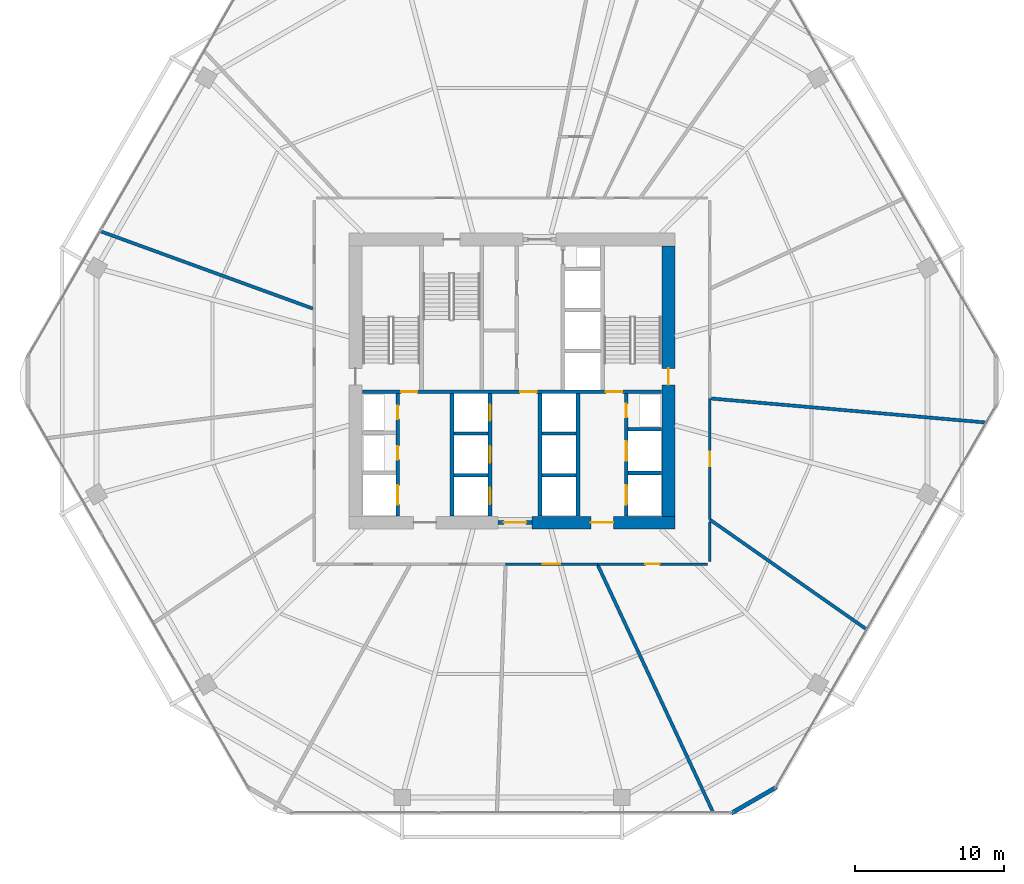
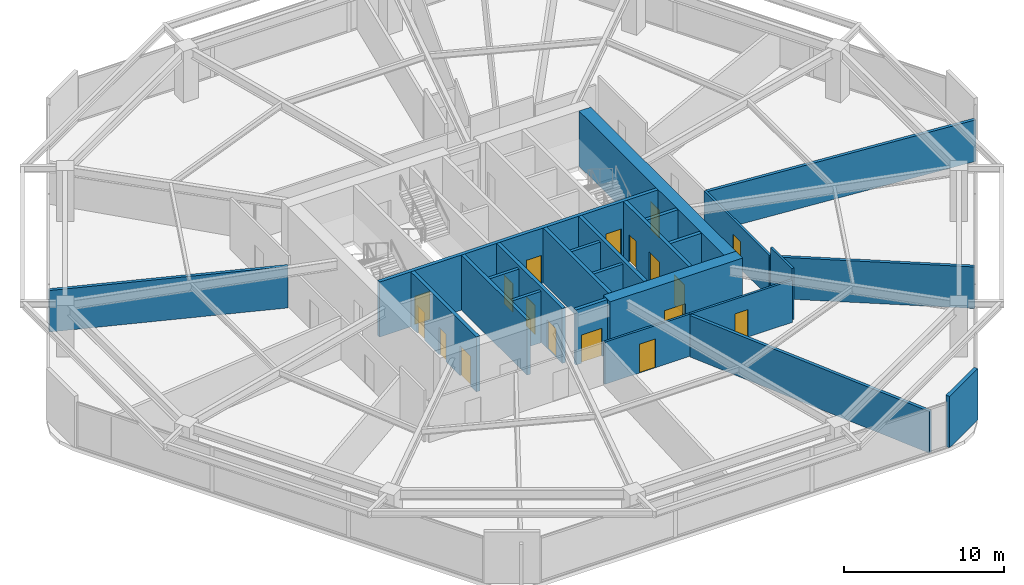
# One storey, part 25 of 28: 25 walls, 18 doors, 18 openings.
"""IFC4 building model written with IfcOpenShell, lengths in metres."""

import ifcopenshell
import ifcopenshell.guid

model = None  # the IFC model being written
_history = None  # IfcOwnerHistory: only IFC2X3 demands one
_inside = {}  # id of a spatial element -> (the spatial element, [elements in it])
_under = {}  # id of a project, library or spatial element -> (it, [spatial elements below it])
_declared = {}  # id of a project -> (the project, [libraries it declares])
_typed = {}  # id of a type object -> (the type object, [elements of that type])
_made_of = {}  # id of a material, layer set ... -> (it, [elements and type objects made of it])


def new_model(schema):
    """Start an empty IFC model of exactly this schema.

    Asked for "IFC4X3", IfcOpenShell would pick the latest addendum, in which some entities
    have other attributes; the version numbers below select the first issue.
    IFC2X3 requires an IfcOwnerHistory on every rooted entity: one is made here for all.
    """
    global model, _history
    if schema == "IFC4X3":
        model = ifcopenshell.file(schema_version=(4, 3, 0, 0))
    else:
        model = ifcopenshell.file(schema=schema)
    _inside.clear()
    _under.clear()
    _declared.clear()
    _typed.clear()
    _made_of.clear()
    _history = None
    if model.schema == "IFC2X3":
        org = make("IfcOrganization", Name="unknown")
        user = make(
            "IfcPersonAndOrganization",
            ThePerson=make("IfcPerson", FamilyName="unknown"),
            TheOrganization=org,
        )
        app = make(
            "IfcApplication",
            ApplicationDeveloper=org,
            Version="unknown",
            ApplicationFullName="unknown",
            ApplicationIdentifier="unknown",
        )
        _history = make(
            "IfcOwnerHistory",
            OwningUser=user,
            OwningApplication=app,
            ChangeAction="ADDED",
            CreationDate=0,
        )
    return model


def make(cls, **values):
    """One entity of the class cls with the attributes given. An attribute that is None is left unset."""
    return model.create_entity(
        cls, **{name: value for name, value in values.items() if value is not None}
    )


def rooted(cls, **values):
    """An entity with a GlobalId (a new one), such as an element, a storey or a relation."""
    return make(cls, GlobalId=ifcopenshell.guid.new(), OwnerHistory=_history, **values)


def si_unit(unit_type, name, prefix=None):
    """IfcSIUnit, for example si_unit("LENGTHUNIT", "METRE", prefix="MILLI")."""
    return make("IfcSIUnit", UnitType=unit_type, Prefix=prefix, Name=name)


def assignment(units):
    """IfcUnitAssignment: the units of a project."""
    return None if units is None else make("IfcUnitAssignment", Units=units)


def point(xyz):
    """IfcCartesianPoint."""
    return None if xyz is None else make("IfcCartesianPoint", Coordinates=xyz)


def direction(xyz):
    """IfcDirection."""
    return None if xyz is None else make("IfcDirection", DirectionRatios=xyz)


def frame(location, z_axis=None, x_axis=None):
    """IfcAxis2Placement3D, a coordinate frame: its origin and axes. An axis left out is left unset."""
    return make(
        "IfcAxis2Placement3D",
        Location=point(location),
        Axis=direction(z_axis),
        RefDirection=direction(x_axis),
    )


def frame_2d(location, x_axis=None):
    """IfcAxis2Placement2D, a coordinate frame in the plane: its origin and x axis."""
    return make(
        "IfcAxis2Placement2D", Location=point(location), RefDirection=direction(x_axis)
    )


def origin():
    """The frame at (0, 0, 0) with its axes left unset."""
    return frame((0.0, 0.0, 0.0))


def place(relative_to, where):
    """IfcLocalPlacement: puts the frame where relative to a parent placement (None: the world)."""
    return make(
        "IfcLocalPlacement", PlacementRelTo=relative_to, RelativePlacement=where
    )


def context(
    kind, dimensions, precision=None, world=None, true_north=None, identifier=None
):
    """IfcGeometricRepresentationContext, for example the 3D "Model" context."""
    return make(
        "IfcGeometricRepresentationContext",
        ContextIdentifier=identifier,
        ContextType=kind,
        CoordinateSpaceDimension=dimensions,
        Precision=precision,
        WorldCoordinateSystem=world,
        TrueNorth=true_north,
    )


def subcontext(parent, identifier, kind, view, scale=None):
    """IfcGeometricRepresentationSubContext, for example "Body" below "Model"."""
    return make(
        "IfcGeometricRepresentationSubContext",
        ContextIdentifier=identifier,
        ContextType=kind,
        ParentContext=parent,
        TargetScale=scale,
        TargetView=view,
    )


def project(units=None, contexts=None):
    """IfcProject with its units and contexts."""
    return rooted(
        "IfcProject",
        Name="project",
        RepresentationContexts=contexts,
        UnitsInContext=assignment(units),
    )


def spatial(cls, under=None, at=None, **own):
    """A site, building, storey or space (cls), placed at a placement, below another one or the project."""
    s = rooted(cls, ObjectPlacement=at, **own)
    if under is not None:
        _under.setdefault(under.id(), (under, []))[1].append(s)
    return s


def profile(cls, at=None, kind="AREA", **sizes):
    """A parametric profile (cls). Its sizes go by their IFC names, for example OverallWidth=200.0."""
    return make(cls, ProfileType=kind, Position=at, **sizes)


def rectangle(**sizes):
    """IfcRectangleProfileDef."""
    return profile("IfcRectangleProfileDef", **sizes)


def extrude(swept, where, along, depth):
    """IfcExtrudedAreaSolid: the profile swept, set in the frame where, extruded along a direction by depth."""
    return make(
        "IfcExtrudedAreaSolid",
        SweptArea=swept,
        Position=where,
        ExtrudedDirection=direction(along),
        Depth=depth,
    )


def shape(context_of_items, identifier, shape_type, items):
    """IfcShapeRepresentation: the items that make up one representation, for example the "Body"."""
    return make(
        "IfcShapeRepresentation",
        ContextOfItems=context_of_items,
        RepresentationIdentifier=identifier,
        RepresentationType=shape_type,
        Items=items,
    )


def material(Name=None, Category=None):
    """IfcMaterial."""
    return make("IfcMaterial", Name=Name, Category=Category)


def layer(
    of_material, thickness, ventilated=None, Name=None, Category=None, Priority=None
):
    """IfcMaterialLayer: one layer of a wall or slab, of a material (None: an air gap)."""
    return make(
        "IfcMaterialLayer",
        Material=of_material,
        LayerThickness=thickness,
        IsVentilated=ventilated,
        Name=Name,
        Category=Category,
        Priority=Priority,
    )


def layer_set(layers, Name=None):
    """IfcMaterialLayerSet."""
    return make("IfcMaterialLayerSet", MaterialLayers=layers, LayerSetName=Name)


def made_of(thing, what):
    """Note that an element or type object is made of a material, layer set ...; save() writes the relation."""
    if what is not None:
        _made_of.setdefault(what.id(), (what, []))[1].append(thing)
    return thing


def type_object(cls, material=None, **own):
    """A type object (cls), such as IfcWallType, which elements share."""
    return made_of(rooted(cls, **own), material)


def element(
    cls,
    number,
    at=None,
    inside=None,
    cuts=None,
    type_object=None,
    material=None,
    context=None,
    identifier="Body",
    shape_type=None,
    held_by="IfcProductDefinitionShape",
    body=None,
    shapes=None,
    **own,
):
    """One element of the class cls, such as IfcWall. Its Tag is "e" and its number.

    at: its placement. inside: the storey or other place that contains it. cuts: it is an
    opening in that element (IfcRelVoidsElement). A single representation is given by context,
    identifier, shape_type and body (its items); several are given by shapes. held_by: the class
    of the entity that holds the representations. save() writes the other relations.
    """
    e = rooted(cls, Tag="e%d" % number, ObjectPlacement=at, **own)
    if body is not None:
        shapes = [shape(context, identifier, shape_type, body)]
    if shapes is not None:
        e.Representation = make(held_by, Representations=shapes)
    if inside is not None:
        _inside.setdefault(inside.id(), (inside, []))[1].append(e)
    if cuts is not None:
        rooted(
            "IfcRelVoidsElement", RelatingBuildingElement=cuts, RelatedOpeningElement=e
        )
    if type_object is not None:
        _typed.setdefault(type_object.id(), (type_object, []))[1].append(e)
    return made_of(e, material)


def fill(opening, filler):
    """IfcRelFillsElement: the door or window that sits in an opening."""
    return rooted(
        "IfcRelFillsElement",
        RelatingOpeningElement=opening,
        RelatedBuildingElement=filler,
    )


def aggregate(whole, parts):
    """IfcRelAggregates: a whole, such as a stair, and the parts it consists of."""
    return rooted("IfcRelAggregates", RelatingObject=whole, RelatedObjects=parts)


def save(model, path):
    """Write the relations noted so far, then the file.

    IfcRelAggregates (storeys below a building ...), IfcRelContainedInSpatialStructure (elements
    in a storey), IfcRelDefinesByType, IfcRelAssociatesMaterial and IfcRelDeclares: one each for
    every whole, place, type object, material and project.
    """
    for whole, parts in _under.values():
        aggregate(whole, parts)
    for where, things in _inside.values():
        rooted(
            "IfcRelContainedInSpatialStructure",
            RelatedElements=things,
            RelatingStructure=where,
        )
    for kind, things in _typed.values():
        rooted("IfcRelDefinesByType", RelatedObjects=things, RelatingType=kind)
    for what, things in _made_of.values():
        rooted("IfcRelAssociatesMaterial", RelatedObjects=things, RelatingMaterial=what)
    for by, libraries in _declared.values():
        rooted("IfcRelDeclares", RelatingContext=by, RelatedDefinitions=libraries)
    model.write(path)


model = new_model("IFC4")

# Units and contexts
model_context = context("Model", 3, precision=1e-05, world=origin(), true_north=direction((0.0, 1.0)))
body_context = subcontext(model_context, "Body", "Model", "MODEL_VIEW")
ifc_project = project(units=[si_unit("LENGTHUNIT", "METRE"), si_unit("AREAUNIT", "SQUARE_METRE"), si_unit("VOLUMEUNIT", "CUBIC_METRE"), si_unit("PLANEANGLEUNIT", "RADIAN"), si_unit("MASSUNIT", "GRAM", prefix="KILO")], contexts=[model_context])

# Site, building, storey
site_placement = place(None, origin())
site = spatial("IfcSite", under=ifc_project, at=site_placement, CompositionType="ELEMENT")
building_placement = place(site_placement, origin())
building = spatial("IfcBuilding", under=site, at=building_placement, Name="Zuhravey Tower", CompositionType="ELEMENT")
storey_placement = place(building_placement, frame((0.0, 0.0, 79.199951171875)))
storey = spatial("IfcBuildingStorey", under=building, at=storey_placement, Name="L19", CompositionType="ELEMENT", Elevation=79.199951171875)

# Wall, opening, door
ifc_material_1 = material(Name="Concrete C60/75", Category="concrete")
ifc_layer_1 = layer(ifc_material_1, 0.85009765625)
ifc_layer_set_1 = layer_set([ifc_layer_1], Name="Concrete C60/75")
wall_type_1 = type_object("IfcWallType", Name="Core Shear Wall 850", PredefinedType="SHEAR", material=ifc_layer_set_1)
wall_1_placement = place(storey_placement, frame((37.35009765625, 22.5, 0.0), z_axis=(0.0, 0.0, 1.0), x_axis=(1.0, 0.0, 0.0)))
wall_1 = element("IfcWall", 1, at=wall_1_placement, inside=storey, type_object=wall_type_1, Name="L19 South-East Core Shear Wall CW85", PredefinedType="SHEAR", context=body_context, shape_type="SweptSolid", body=[
    extrude(rectangle(XDim=9.574951171875, YDim=0.85009765625, at=frame_2d((4.78759765625, 0.0))), origin(), (0.0, 0.0, 1.0), 4.199951171875),
])
opening_1_placement = place(wall_1_placement, frame((3.949951171875, 0.0, 0.0)))
opening_1 = element("IfcOpeningElement", 2, at=opening_1_placement, cuts=wall_1, Name="Opening FFD1", PredefinedType="OPENING", context=body_context, shape_type="SweptSolid", body=[
    extrude(rectangle(XDim=1.5, YDim=2.14990234375, at=frame_2d((0.75, 1.074951171875))), frame((0.0, 0.43701171875, 0.0), z_axis=(0.0, -1.0, 0.0), x_axis=(1.0, 0.0, 0.0)), (0.0, 0.0, 1.0), 0.8740234375),
])
ifc_material_2 = material(Name="Galvanised fire-rated steel leaf", Category="steel")
door_type_1 = type_object("IfcDoorType", Name="Firefighting Lobby Double Door 1500x2150", OperationType="DOUBLE_DOOR_SINGLE_SWING", PredefinedType="DOOR", material=ifc_material_2)
door_1_placement = place(opening_1_placement, origin())
door_1 = element("IfcDoor", 3, at=door_1_placement, inside=storey, type_object=door_type_1, Name="L19 Firefighting Lobby East Door", OperationType="DOUBLE_DOOR_SINGLE_SWING", OverallHeight=2.14990234375, OverallWidth=1.5, PredefinedType="DOOR", context=body_context, shape_type="SweptSolid", body=[
    extrude(rectangle(XDim=1.5, YDim=2.14990234375, at=frame_2d((0.75, 1.074951171875))), frame((0.0, 0.02490234375, 0.0), z_axis=(0.0, -1.0, 0.0), x_axis=(1.0, 0.0, 0.0)), (0.0, 0.0, 1.0), 0.050048828125),
])
fill(opening_1, door_1)

wall_2_placement = place(storey_placement, frame((46.5, 22.925048828125, 0.0), z_axis=(0.0, 0.0, 1.0), x_axis=(0.0, 1.0, 0.0)))
wall_2 = element("IfcWall", 4, at=wall_2_placement, inside=storey, type_object=wall_type_1, Name="L19 East Core Shear Wall CW85", PredefinedType="SHEAR", context=body_context, shape_type="SweptSolid", body=[
    extrude(rectangle(XDim=18.14990234375, YDim=0.85009765625, at=frame_2d((9.074951171875, 0.0))), origin(), (0.0, 0.0, 1.0), 4.199951171875),
])
opening_2_placement = place(wall_2_placement, frame((8.824951171875, 0.0, 0.0)))
opening_2 = element("IfcOpeningElement", 5, at=opening_2_placement, cuts=wall_2, Name="Opening STD1", PredefinedType="OPENING", context=body_context, shape_type="SweptSolid", body=[
    extrude(rectangle(XDim=1.10009765625, YDim=2.14990234375, at=frame_2d((0.550048828125, 1.074951171875))), frame((0.0, 0.43701171875, 0.0), z_axis=(0.0, -1.0, 0.0), x_axis=(1.0, 0.0, 0.0)), (0.0, 0.0, 1.0), 0.8740234375),
])
door_type_2 = type_object("IfcDoorType", Name="Protected Stair Fire Door 1100x2150", OperationType="NOTDEFINED", PredefinedType="USERDEFINED", material=ifc_material_2)
door_2_placement = place(opening_2_placement, origin())
door_2 = element("IfcDoor", 6, at=door_2_placement, inside=storey, type_object=door_type_2, Name="L19 Stair ST2 Door", ObjectType="EXITDOOR", OperationType="SINGLE_SWING_RIGHT", OverallHeight=2.14990234375, OverallWidth=1.10009765625, PredefinedType="USERDEFINED", context=body_context, shape_type="SweptSolid", body=[
    extrude(rectangle(XDim=1.10009765625, YDim=2.14990234375, at=frame_2d((0.550048828125, 1.074951171875))), frame((0.0, 0.02490234375, 0.0), z_axis=(0.0, -1.0, 0.0), x_axis=(1.0, 0.0, 0.0)), (0.0, 0.0, 1.0), 0.050048828125),
])
fill(opening_2, door_2)

ifc_material_3 = material(Name="Gypsum fire-rated stud partition")
ifc_layer_2 = layer(ifc_material_3, 0.159912109375)
ifc_layer_set_2 = layer_set([ifc_layer_2], Name="Gypsum fire-rated stud partition")
wall_type_2 = type_object("IfcWallType", Name="Corridor Fire Partition 160", PredefinedType="PARTITIONING", material=ifc_layer_set_2)
wall_3_placement = place(storey_placement, frame((35.571044921875, 19.715087890625, 0.0), z_axis=(0.0, 0.0, 1.0), x_axis=(1.0, 0.0, 0.0)))
wall_3 = element("IfcWall", 7, at=wall_3_placement, inside=storey, type_object=wall_type_2, Name="L19 IW16 Partition 029", PredefinedType="PARTITIONING", context=body_context, shape_type="SweptSolid", body=[
    extrude(rectangle(XDim=6.157470703125, YDim=0.159912109375, at=frame_2d((3.07861328125, 0.0))), origin(), (0.0, 0.0, 1.0), 3.219970703125),
])
opening_3_placement = place(wall_3_placement, frame((2.50390625, 0.0, 0.0)))
opening_3 = element("IfcOpeningElement", 8, at=opening_3_placement, cuts=wall_3, Name="Opening CLD1", PredefinedType="OPENING", context=body_context, shape_type="SweptSolid", body=[
    extrude(rectangle(XDim=1.14990234375, YDim=2.199951171875, at=frame_2d((0.574951171875, 1.10009765625))), frame((0.0, 0.092041015625, 0.0), z_axis=(0.0, -1.0, 0.0), x_axis=(1.0, 0.0, 0.0)), (0.0, 0.0, 1.0), 0.183837890625),
])
ifc_material_4 = material(Name="Acoustic timber leaf with vision lite", Category="wood")
door_type_3 = type_object("IfcDoorType", Name="Classroom Acoustic Door 1150x2200", OperationType="NOTDEFINED", PredefinedType="DOOR", material=ifc_material_4)
door_3_placement = place(opening_3_placement, frame((1.14990234375, 0.0, 0.0), z_axis=(0.0, 0.0, 1.0), x_axis=(-1.0, 0.0, 0.0)))
door_3 = element("IfcDoor", 9, at=door_3_placement, inside=storey, type_object=door_type_3, Name="L19 Door 029.1", OperationType="SINGLE_SWING_LEFT", OverallHeight=2.199951171875, OverallWidth=1.14990234375, PredefinedType="DOOR", context=body_context, shape_type="SweptSolid", body=[
    extrude(rectangle(XDim=1.14990234375, YDim=2.199951171875, at=frame_2d((0.574951171875, 1.10009765625))), frame((0.0, 0.02490234375, 0.0), z_axis=(0.0, -1.0, 0.0), x_axis=(1.0, 0.0, 0.0)), (0.0, 0.0, 1.0), 0.050048828125),
])
fill(opening_3, door_3)

wall_4_placement = place(storey_placement, frame((41.728515625, 19.715087890625, 0.0), z_axis=(0.0, 0.0, 1.0), x_axis=(1.0, 0.0, 0.0)))
wall_4 = element("IfcWall", 10, at=wall_4_placement, inside=storey, type_object=wall_type_2, Name="L19 IW16 Partition 030", PredefinedType="PARTITIONING", context=body_context, shape_type="SweptSolid", body=[
    extrude(rectangle(XDim=7.396484375, YDim=0.159912109375, at=frame_2d((3.6982421875, 0.0))), origin(), (0.0, 0.0, 1.0), 3.219970703125),
])
opening_4_placement = place(wall_4_placement, frame((3.22314453125, 0.0, 0.0)))
opening_4 = element("IfcOpeningElement", 11, at=opening_4_placement, cuts=wall_4, Name="Opening IND1", PredefinedType="OPENING", context=body_context, shape_type="SweptSolid", body=[
    extrude(rectangle(XDim=0.949951171875, YDim=2.10009765625, at=frame_2d((0.47509765625, 1.050048828125))), frame((0.0, 0.092041015625, 0.0), z_axis=(0.0, -1.0, 0.0), x_axis=(1.0, 0.0, 0.0)), (0.0, 0.0, 1.0), 0.183837890625),
])
ifc_material_5 = material(Name="Painted engineered timber leaf", Category="wood")
door_type_4 = type_object("IfcDoorType", Name="Internal Room & Bedroom Door 950x2100", OperationType="NOTDEFINED", PredefinedType="DOOR", material=ifc_material_5)
door_4_placement = place(opening_4_placement, frame((0.949951171875, 0.0, 0.0), z_axis=(0.0, 0.0, 1.0), x_axis=(-1.0, 0.0, 0.0)))
door_4 = element("IfcDoor", 12, at=door_4_placement, inside=storey, type_object=door_type_4, Name="L19 Door 030.1", OperationType="SINGLE_SWING_RIGHT", OverallHeight=2.10009765625, OverallWidth=0.949951171875, PredefinedType="DOOR", context=body_context, shape_type="SweptSolid", body=[
    extrude(rectangle(XDim=0.949951171875, YDim=2.10009765625, at=frame_2d((0.47509765625, 1.050048828125))), frame((0.0, 0.02490234375, 0.0), z_axis=(0.0, -1.0, 0.0), x_axis=(1.0, 0.0, 0.0)), (0.0, 0.0, 1.0), 0.050048828125),
])
fill(opening_4, door_4)

wall_5_placement = place(storey_placement, frame((49.284912109375, 22.69775390625, 0.0), z_axis=(0.0, 0.0, 1.0), x_axis=(0.0, 1.0, 0.0)))
wall_5 = element("IfcWall", 13, at=wall_5_placement, inside=storey, type_object=wall_type_2, Name="L19 IW16 Partition 031", PredefinedType="PARTITIONING", context=body_context, shape_type="SweptSolid", body=[
    extrude(rectangle(XDim=8.139892578125, YDim=0.159912109375, at=frame_2d((4.06982421875, 0.0))), origin(), (0.0, 0.0, 1.0), 3.219970703125),
])
opening_5_placement = place(wall_5_placement, frame((3.594970703125, 0.0, 0.0)))
opening_5 = element("IfcOpeningElement", 14, at=opening_5_placement, cuts=wall_5, Name="Opening IND1", PredefinedType="OPENING", context=body_context, shape_type="SweptSolid", body=[
    extrude(rectangle(XDim=0.949951171875, YDim=2.10009765625, at=frame_2d((0.47509765625, 1.050048828125))), frame((0.0, 0.092041015625, 0.0), z_axis=(0.0, -1.0, 0.0), x_axis=(1.0, 0.0, 0.0)), (0.0, 0.0, 1.0), 0.183837890625),
])
door_5_placement = place(opening_5_placement, frame((0.949951171875, 0.0, 0.0), z_axis=(0.0, 0.0, 1.0), x_axis=(-1.0, 0.0, 0.0)))
door_5 = element("IfcDoor", 15, at=door_5_placement, inside=storey, type_object=door_type_4, Name="L19 Door 031.1", OperationType="SINGLE_SWING_LEFT", OverallHeight=2.10009765625, OverallWidth=0.949951171875, PredefinedType="DOOR", context=body_context, shape_type="SweptSolid", body=[
    extrude(rectangle(XDim=0.949951171875, YDim=2.10009765625, at=frame_2d((0.47509765625, 1.050048828125))), frame((0.0, 0.02490234375, 0.0), z_axis=(0.0, -1.0, 0.0), x_axis=(1.0, 0.0, 0.0)), (0.0, 0.0, 1.0), 0.050048828125),
])
fill(opening_5, door_5)

# Walls
wall_6_placement = place(storey_placement, frame((49.284912109375, 19.875, 0.0), z_axis=(0.0, 0.0, 1.0), x_axis=(0.0, 1.0, 0.0)))
element("IfcWall", 16, at=wall_6_placement, inside=storey, type_object=wall_type_2, Name="L19 IW16 Partition 058", PredefinedType="PARTITIONING", context=body_context, shape_type="SweptSolid", body=[
    extrude(rectangle(XDim=2.6787109375, YDim=0.159912109375, at=frame_2d((1.33935546875, 0.0))), origin(), (0.0, 0.0, 1.0), 3.920166015625),
])
ifc_material_6 = material(Name="Precast concrete C40/50", Category="concrete")
ifc_layer_3 = layer(ifc_material_6, 0.280029296875)
ifc_layer_set_3 = layer_set([ifc_layer_3], Name="Precast concrete C40/50")
wall_type_3 = type_object("IfcWallType", Name="Crown Architectural Wall 280", PredefinedType="SOLIDWALL", material=ifc_layer_set_3)
wall_7_placement = place(storey_placement, frame((53.76123046875, 4.75146484375, 0.0), z_axis=(0.0, 0.0, 1.0), x_axis=(-0.866007452331, -0.500031091541, 0.0)))
element("IfcWall", 17, at=wall_7_placement, inside=storey, type_object=wall_type_3, Name="L19 Rounded Corner Closure Wall EW28-02", PredefinedType="SOLIDWALL", context=body_context, shape_type="SweptSolid", body=[
    extrude(rectangle(XDim=3.514892578125, YDim=0.280029296875, at=frame_2d((1.75732421875, 0.0))), origin(), (0.0, 0.0, 1.0), 3.920166015625),
])

# Wall, opening, door
ifc_material_7 = material(Name="Concrete C50/60", Category="concrete")
ifc_layer_4 = layer(ifc_material_7, 0.25)
ifc_layer_set_4 = layer_set([ifc_layer_4], Name="Concrete C50/60")
wall_type_4 = type_object("IfcWallType", Name="Firefighting Shaft & Stair Wall 250", PredefinedType="SOLIDWALL", material=ifc_layer_set_4)
wall_8_placement = place(storey_placement, frame((35.06005859375, 22.5, 0.0), z_axis=(0.0, 0.0, 1.0), x_axis=(1.0, 0.0, 0.0)))
wall_8 = element("IfcWall", 18, at=wall_8_placement, inside=storey, type_object=wall_type_4, Name="L19 FW25 Shaft Wall 001", PredefinedType="SOLIDWALL", context=body_context, shape_type="SweptSolid", body=[
    extrude(rectangle(XDim=2.280029296875, YDim=0.25, at=frame_2d((1.14013671875, 0.0))), origin(), (0.0, 0.0, 1.0), 4.199951171875),
])
opening_6_placement = place(wall_8_placement, frame((0.389892578125, 0.0, 0.0)))
opening_6 = element("IfcOpeningElement", 19, at=opening_6_placement, cuts=wall_8, Name="Opening FFD1", PredefinedType="OPENING", context=body_context, shape_type="SweptSolid", body=[
    extrude(rectangle(XDim=1.5, YDim=2.14990234375, at=frame_2d((0.75, 1.074951171875))), frame((0.0, 0.136962890625, 0.0), z_axis=(0.0, -1.0, 0.0), x_axis=(1.0, 0.0, 0.0)), (0.0, 0.0, 1.0), 0.27392578125),
])
door_6_placement = place(opening_6_placement, frame((1.5, 0.0, 0.0), z_axis=(0.0, 0.0, 1.0), x_axis=(-1.0, 0.0, 0.0)))
door_6 = element("IfcDoor", 20, at=door_6_placement, inside=storey, type_object=door_type_1, Name="L19 South Lift Lobby Exit Door", OperationType="DOUBLE_DOOR_SINGLE_SWING", OverallHeight=2.14990234375, OverallWidth=1.5, PredefinedType="DOOR", context=body_context, shape_type="SweptSolid", body=[
    extrude(rectangle(XDim=1.5, YDim=2.14990234375, at=frame_2d((0.75, 1.074951171875))), frame((0.0, 0.02490234375, 0.0), z_axis=(0.0, -1.0, 0.0), x_axis=(1.0, 0.0, 0.0)), (0.0, 0.0, 1.0), 0.050048828125),
])
fill(opening_6, door_6)

# Wall, openings, doors
wall_9_placement = place(storey_placement, frame((25.949951171875, 31.27490234375, 0.0), z_axis=(0.0, 0.0, 1.0), x_axis=(1.0, 0.0, 0.0)))
wall_9 = element("IfcWall", 21, at=wall_9_placement, inside=storey, type_object=wall_type_4, Name="L19 FW25 Shaft Wall 003", PredefinedType="SOLIDWALL", context=body_context, shape_type="SweptSolid", body=[
    extrude(rectangle(XDim=20.10009765625, YDim=0.25, at=frame_2d((10.050048828125, 0.0))), origin(), (0.0, 0.0, 1.0), 4.199951171875),
])
opening_7_placement = place(wall_9_placement, frame((2.60009765625, 0.0, 0.0)))
opening_7 = element("IfcOpeningElement", 22, at=opening_7_placement, cuts=wall_9, Name="Opening STD1", PredefinedType="OPENING", context=body_context, shape_type="SweptSolid", body=[
    extrude(rectangle(XDim=1.10009765625, YDim=2.14990234375, at=frame_2d((0.550048828125, 1.074951171875))), frame((0.0, 0.136962890625, 0.0), z_axis=(0.0, -1.0, 0.0), x_axis=(1.0, 0.0, 0.0)), (0.0, 0.0, 1.0), 0.27392578125),
])
opening_8_placement = place(wall_9_placement, frame((10.60009765625, 0.0, 0.0)))
opening_8 = element("IfcOpeningElement", 23, at=opening_8_placement, cuts=wall_9, Name="Opening STD1", PredefinedType="OPENING", context=body_context, shape_type="SweptSolid", body=[
    extrude(rectangle(XDim=1.10009765625, YDim=2.14990234375, at=frame_2d((0.550048828125, 1.074951171875))), frame((0.0, 0.136962890625, 0.0), z_axis=(0.0, -1.0, 0.0), x_axis=(1.0, 0.0, 0.0)), (0.0, 0.0, 1.0), 0.27392578125),
])
opening_9_placement = place(wall_9_placement, frame((16.35009765625, 0.0, 0.0)))
opening_9 = element("IfcOpeningElement", 24, at=opening_9_placement, cuts=wall_9, Name="Opening STD1", PredefinedType="OPENING", context=body_context, shape_type="SweptSolid", body=[
    extrude(rectangle(XDim=1.10009765625, YDim=2.14990234375, at=frame_2d((0.550048828125, 1.074951171875))), frame((0.0, 0.136962890625, 0.0), z_axis=(0.0, -1.0, 0.0), x_axis=(1.0, 0.0, 0.0)), (0.0, 0.0, 1.0), 0.27392578125),
])
door_7_placement = place(opening_7_placement, origin())
door_7 = element("IfcDoor", 25, at=door_7_placement, inside=storey, type_object=door_type_2, Name="L19 FFL-W to ST1 Door", ObjectType="EXITDOOR", OperationType="SINGLE_SWING_RIGHT", OverallHeight=2.14990234375, OverallWidth=1.10009765625, PredefinedType="USERDEFINED", context=body_context, shape_type="SweptSolid", body=[
    extrude(rectangle(XDim=1.10009765625, YDim=2.14990234375, at=frame_2d((0.550048828125, 1.074951171875))), frame((0.0, 0.02490234375, 0.0), z_axis=(0.0, -1.0, 0.0), x_axis=(1.0, 0.0, 0.0)), (0.0, 0.0, 1.0), 0.050048828125),
])
fill(opening_7, door_7)
door_8_placement = place(opening_8_placement, origin())
door_8 = element("IfcDoor", 26, at=door_8_placement, inside=storey, type_object=door_type_2, Name="L19 Core Lobby Link Door", ObjectType="EXITDOOR", OperationType="SINGLE_SWING_LEFT", OverallHeight=2.14990234375, OverallWidth=1.10009765625, PredefinedType="USERDEFINED", context=body_context, shape_type="SweptSolid", body=[
    extrude(rectangle(XDim=1.10009765625, YDim=2.14990234375, at=frame_2d((0.550048828125, 1.074951171875))), frame((0.0, 0.02490234375, 0.0), z_axis=(0.0, -1.0, 0.0), x_axis=(1.0, 0.0, 0.0)), (0.0, 0.0, 1.0), 0.050048828125),
])
fill(opening_8, door_8)
door_9_placement = place(opening_9_placement, origin())
door_9 = element("IfcDoor", 27, at=door_9_placement, inside=storey, type_object=door_type_2, Name="L19 FFL-E to ST2 Door", ObjectType="EXITDOOR", OperationType="SINGLE_SWING_RIGHT", OverallHeight=2.14990234375, OverallWidth=1.10009765625, PredefinedType="USERDEFINED", context=body_context, shape_type="SweptSolid", body=[
    extrude(rectangle(XDim=1.10009765625, YDim=2.14990234375, at=frame_2d((0.550048828125, 1.074951171875))), frame((0.0, 0.02490234375, 0.0), z_axis=(0.0, -1.0, 0.0), x_axis=(1.0, 0.0, 0.0)), (0.0, 0.0, 1.0), 0.050048828125),
])
fill(opening_9, door_9)

wall_10_placement = place(storey_placement, frame((28.324951171875, 22.949951171875, 0.0), z_axis=(0.0, 0.0, 1.0), x_axis=(0.0, 1.0, 0.0)))
wall_10 = element("IfcWall", 28, at=wall_10_placement, inside=storey, type_object=wall_type_4, Name="L19 FW25 Shaft Wall 011", PredefinedType="SOLIDWALL", context=body_context, shape_type="SweptSolid", body=[
    extrude(rectangle(XDim=8.199951171875, YDim=0.25, at=frame_2d((4.10009765625, 0.0))), origin(), (0.0, 0.0, 1.0), 4.199951171875),
])
opening_10_placement = place(wall_10_placement, frame((0.75, 0.0, 0.0)))
opening_10 = element("IfcOpeningElement", 29, at=opening_10_placement, cuts=wall_10, Name="Opening LD2", PredefinedType="OPENING", context=body_context, shape_type="SweptSolid", body=[
    extrude(rectangle(XDim=1.300048828125, YDim=2.300048828125, at=frame_2d((0.64990234375, 1.14990234375))), frame((0.0, 0.136962890625, 0.0), z_axis=(0.0, -1.0, 0.0), x_axis=(1.0, 0.0, 0.0)), (0.0, 0.0, 1.0), 0.27392578125),
])
opening_11_placement = place(wall_10_placement, frame((3.780029296875, 0.0, 0.0)))
opening_11 = element("IfcOpeningElement", 30, at=opening_11_placement, cuts=wall_10, Name="Opening RSD1", PredefinedType="OPENING", context=body_context, shape_type="SweptSolid", body=[
    extrude(rectangle(XDim=0.89990234375, YDim=2.10009765625, at=frame_2d((0.449951171875, 1.050048828125))), frame((0.0, 0.136962890625, 0.0), z_axis=(0.0, -1.0, 0.0), x_axis=(1.0, 0.0, 0.0)), (0.0, 0.0, 1.0), 0.27392578125),
])
opening_12_placement = place(wall_10_placement, frame((6.5, 0.0, 0.0)))
opening_12 = element("IfcOpeningElement", 31, at=opening_12_placement, cuts=wall_10, Name="Opening RSD1", PredefinedType="OPENING", context=body_context, shape_type="SweptSolid", body=[
    extrude(rectangle(XDim=0.89990234375, YDim=2.10009765625, at=frame_2d((0.449951171875, 1.050048828125))), frame((0.0, 0.136962890625, 0.0), z_axis=(0.0, -1.0, 0.0), x_axis=(1.0, 0.0, 0.0)), (0.0, 0.0, 1.0), 0.27392578125),
])
ifc_material_8 = material(Name="Brushed stainless steel", Category="steel")
door_type_5 = type_object("IfcDoorType", Name="Freight & Stretcher Lift Sliding Door 1300x2300", OperationType="DOUBLE_DOOR_SLIDING", PredefinedType="DOOR", material=ifc_material_8)
door_10_placement = place(opening_10_placement, frame((1.300048828125, 0.0, 0.0), z_axis=(0.0, 0.0, 1.0), x_axis=(-1.0, 0.0, 0.0)))
door_10 = element("IfcDoor", 32, at=door_10_placement, inside=storey, type_object=door_type_5, Name="L19 Lift FF1 Landing Door", OperationType="DOUBLE_DOOR_SLIDING", OverallHeight=2.300048828125, OverallWidth=1.300048828125, PredefinedType="DOOR", context=body_context, shape_type="SweptSolid", body=[
    extrude(rectangle(XDim=1.300048828125, YDim=2.300048828125, at=frame_2d((0.64990234375, 1.14990234375))), frame((0.0, 0.02490234375, 0.0), z_axis=(0.0, -1.0, 0.0), x_axis=(1.0, 0.0, 0.0)), (0.0, 0.0, 1.0), 0.050048828125),
])
fill(opening_10, door_10)
ifc_material_9 = material(Name="Galvanised fire-rated steel access leaf", Category="steel")
door_type_6 = type_object("IfcDoorType", Name="Riser & Shaft Access Fire Door 900x2100", OperationType="NOTDEFINED", PredefinedType="DOOR", material=ifc_material_9)
door_11_placement = place(opening_11_placement, frame((0.89990234375, 0.0, 0.0), z_axis=(0.0, 0.0, 1.0), x_axis=(-1.0, 0.0, 0.0)))
door_11 = element("IfcDoor", 33, at=door_11_placement, inside=storey, type_object=door_type_6, Name="L19 Electrical Riser Door", OperationType="SINGLE_SWING_RIGHT", OverallHeight=2.10009765625, OverallWidth=0.89990234375, PredefinedType="DOOR", context=body_context, shape_type="SweptSolid", body=[
    extrude(rectangle(XDim=0.89990234375, YDim=2.10009765625, at=frame_2d((0.449951171875, 1.050048828125))), frame((0.0, 0.02490234375, 0.0), z_axis=(0.0, -1.0, 0.0), x_axis=(1.0, 0.0, 0.0)), (0.0, 0.0, 1.0), 0.050048828125),
])
fill(opening_11, door_11)
door_12_placement = place(opening_12_placement, frame((0.89990234375, 0.0, 0.0), z_axis=(0.0, 0.0, 1.0), x_axis=(-1.0, 0.0, 0.0)))
door_12 = element("IfcDoor", 34, at=door_12_placement, inside=storey, type_object=door_type_6, Name="L19 Smoke Shaft Access Door", OperationType="SINGLE_SWING_LEFT", OverallHeight=2.10009765625, OverallWidth=0.89990234375, PredefinedType="DOOR", context=body_context, shape_type="SweptSolid", body=[
    extrude(rectangle(XDim=0.89990234375, YDim=2.10009765625, at=frame_2d((0.449951171875, 1.050048828125))), frame((0.0, 0.02490234375, 0.0), z_axis=(0.0, -1.0, 0.0), x_axis=(1.0, 0.0, 0.0)), (0.0, 0.0, 1.0), 0.050048828125),
])
fill(opening_12, door_12)

# Wall
wall_11_placement = place(storey_placement, frame((31.97509765625, 22.949951171875, 0.0), z_axis=(0.0, 0.0, 1.0), x_axis=(0.0, 1.0, 0.0)))
element("IfcWall", 35, at=wall_11_placement, inside=storey, type_object=wall_type_4, Name="L19 FW25 Shaft Wall 012", PredefinedType="SOLIDWALL", context=body_context, shape_type="SweptSolid", body=[
    extrude(rectangle(XDim=8.199951171875, YDim=0.25, at=frame_2d((4.10009765625, 0.0))), origin(), (0.0, 0.0, 1.0), 4.199951171875),
])

# Wall, openings, doors
wall_12_placement = place(storey_placement, frame((34.52490234375, 22.949951171875, 0.0), z_axis=(0.0, 0.0, 1.0), x_axis=(0.0, 1.0, 0.0)))
wall_12 = element("IfcWall", 36, at=wall_12_placement, inside=storey, type_object=wall_type_4, Name="L19 FW25 Shaft Wall 013", PredefinedType="SOLIDWALL", context=body_context, shape_type="SweptSolid", body=[
    extrude(rectangle(XDim=8.199951171875, YDim=0.25, at=frame_2d((4.10009765625, 0.0))), origin(), (0.0, 0.0, 1.0), 4.199951171875),
])
opening_13_placement = place(wall_12_placement, frame((0.77490234375, 0.0, 0.0)))
opening_13 = element("IfcOpeningElement", 37, at=opening_13_placement, cuts=wall_12, Name="Opening LD1", PredefinedType="OPENING", context=body_context, shape_type="SweptSolid", body=[
    extrude(rectangle(XDim=1.10009765625, YDim=2.199951171875, at=frame_2d((0.550048828125, 1.10009765625))), frame((0.0, 0.136962890625, 0.0), z_axis=(0.0, -1.0, 0.0), x_axis=(1.0, 0.0, 0.0)), (0.0, 0.0, 1.0), 0.27392578125),
])
opening_14_placement = place(wall_12_placement, frame((3.574951171875, 0.0, 0.0)))
opening_14 = element("IfcOpeningElement", 38, at=opening_14_placement, cuts=wall_12, Name="Opening LD1", PredefinedType="OPENING", context=body_context, shape_type="SweptSolid", body=[
    extrude(rectangle(XDim=1.10009765625, YDim=2.199951171875, at=frame_2d((0.550048828125, 1.10009765625))), frame((0.0, 0.136962890625, 0.0), z_axis=(0.0, -1.0, 0.0), x_axis=(1.0, 0.0, 0.0)), (0.0, 0.0, 1.0), 0.27392578125),
])
opening_15_placement = place(wall_12_placement, frame((6.375, 0.0, 0.0)))
opening_15 = element("IfcOpeningElement", 39, at=opening_15_placement, cuts=wall_12, Name="Opening LD1", PredefinedType="OPENING", context=body_context, shape_type="SweptSolid", body=[
    extrude(rectangle(XDim=1.10009765625, YDim=2.199951171875, at=frame_2d((0.550048828125, 1.10009765625))), frame((0.0, 0.136962890625, 0.0), z_axis=(0.0, -1.0, 0.0), x_axis=(1.0, 0.0, 0.0)), (0.0, 0.0, 1.0), 0.27392578125),
])
door_type_7 = type_object("IfcDoorType", Name="Lift Landing Sliding Door 1100x2200", OperationType="DOUBLE_DOOR_SLIDING", PredefinedType="DOOR", material=ifc_material_8)
door_13_placement = place(opening_13_placement, frame((1.10009765625, 0.0, 0.0), z_axis=(0.0, 0.0, 1.0), x_axis=(-1.0, 0.0, 0.0)))
door_13 = element("IfcDoor", 40, at=door_13_placement, inside=storey, type_object=door_type_7, Name="L19 Lift PL1 Landing Door", OperationType="DOUBLE_DOOR_SLIDING", OverallHeight=2.199951171875, OverallWidth=1.10009765625, PredefinedType="DOOR", context=body_context, shape_type="SweptSolid", body=[
    extrude(rectangle(XDim=1.10009765625, YDim=2.199951171875, at=frame_2d((0.550048828125, 1.10009765625))), frame((0.0, 0.02490234375, 0.0), z_axis=(0.0, -1.0, 0.0), x_axis=(1.0, 0.0, 0.0)), (0.0, 0.0, 1.0), 0.050048828125),
])
fill(opening_13, door_13)
door_14_placement = place(opening_14_placement, frame((1.10009765625, 0.0, 0.0), z_axis=(0.0, 0.0, 1.0), x_axis=(-1.0, 0.0, 0.0)))
door_14 = element("IfcDoor", 41, at=door_14_placement, inside=storey, type_object=door_type_7, Name="L19 Lift PL2 Landing Door", OperationType="DOUBLE_DOOR_SLIDING", OverallHeight=2.199951171875, OverallWidth=1.10009765625, PredefinedType="DOOR", context=body_context, shape_type="SweptSolid", body=[
    extrude(rectangle(XDim=1.10009765625, YDim=2.199951171875, at=frame_2d((0.550048828125, 1.10009765625))), frame((0.0, 0.02490234375, 0.0), z_axis=(0.0, -1.0, 0.0), x_axis=(1.0, 0.0, 0.0)), (0.0, 0.0, 1.0), 0.050048828125),
])
fill(opening_14, door_14)
door_15_placement = place(opening_15_placement, frame((1.10009765625, 0.0, 0.0), z_axis=(0.0, 0.0, 1.0), x_axis=(-1.0, 0.0, 0.0)))
door_15 = element("IfcDoor", 42, at=door_15_placement, inside=storey, type_object=door_type_7, Name="L19 Lift PL3 Landing Door", OperationType="DOUBLE_DOOR_SLIDING", OverallHeight=2.199951171875, OverallWidth=1.10009765625, PredefinedType="DOOR", context=body_context, shape_type="SweptSolid", body=[
    extrude(rectangle(XDim=1.10009765625, YDim=2.199951171875, at=frame_2d((0.550048828125, 1.10009765625))), frame((0.0, 0.02490234375, 0.0), z_axis=(0.0, -1.0, 0.0), x_axis=(1.0, 0.0, 0.0)), (0.0, 0.0, 1.0), 0.050048828125),
])
fill(opening_15, door_15)

# Walls
for number, where, z_axis, x_axis, name in (
    (43, (37.875, 22.949951171875, 0.0), (0.0, 0.0, 1.0), (0.0, 1.0, 0.0), "L19 FW25 Shaft Wall 014"),
    (44, (40.425048828125, 22.949951171875, 0.0), (0.0, 0.0, 1.0), (0.0, 1.0, 0.0), "L19 FW25 Shaft Wall 015"),
):
    element("IfcWall", number, at=place(storey_placement, frame(where, z_axis=z_axis, x_axis=x_axis)), inside=storey, type_object=wall_type_4, Name=name, PredefinedType="SOLIDWALL", context=body_context, shape_type="SweptSolid", body=[
        extrude(rectangle(XDim=8.199951171875, YDim=0.25, at=frame_2d((4.10009765625, 0.0))), origin(), (0.0, 0.0, 1.0), 4.199951171875),
    ])
for number, where, z_axis, x_axis, name in (
    (45, (43.800048828125, 25.824951171875, 0.0), (0.0, 0.0, 1.0), (1.0, 0.0, 0.0), "L19 FW25 Shaft Wall 016"),
    (46, (43.800048828125, 28.77490234375, 0.0), (0.0, 0.0, 1.0), (1.0, 0.0, 0.0), "L19 FW25 Shaft Wall 017"),
):
    element("IfcWall", number, at=place(storey_placement, frame(where, z_axis=z_axis, x_axis=x_axis)), inside=storey, type_object=wall_type_4, Name=name, PredefinedType="SOLIDWALL", context=body_context, shape_type="SweptSolid", body=[
        extrude(rectangle(XDim=2.25, YDim=0.25, at=frame_2d((1.125, 0.0))), origin(), (0.0, 0.0, 1.0), 4.199951171875),
    ])

# Wall, openings, doors
wall_13_placement = place(storey_placement, frame((43.675048828125, 22.949951171875, 0.0), z_axis=(0.0, 0.0, 1.0), x_axis=(0.0, 1.0, 0.0)))
wall_13 = element("IfcWall", 47, at=wall_13_placement, inside=storey, type_object=wall_type_4, Name="L19 FW25 Shaft Wall 018", PredefinedType="SOLIDWALL", context=body_context, shape_type="SweptSolid", body=[
    extrude(rectangle(XDim=8.199951171875, YDim=0.25, at=frame_2d((4.10009765625, 0.0))), origin(), (0.0, 0.0, 1.0), 4.199951171875),
])
opening_16_placement = place(wall_13_placement, frame((0.75, 0.0, 0.0)))
opening_16 = element("IfcOpeningElement", 48, at=opening_16_placement, cuts=wall_13, Name="Opening LD2", PredefinedType="OPENING", context=body_context, shape_type="SweptSolid", body=[
    extrude(rectangle(XDim=1.300048828125, YDim=2.300048828125, at=frame_2d((0.64990234375, 1.14990234375))), frame((0.0, 0.136962890625, 0.0), z_axis=(0.0, -1.0, 0.0), x_axis=(1.0, 0.0, 0.0)), (0.0, 0.0, 1.0), 0.27392578125),
])
opening_17_placement = place(wall_13_placement, frame((3.699951171875, 0.0, 0.0)))
opening_17 = element("IfcOpeningElement", 49, at=opening_17_placement, cuts=wall_13, Name="Opening LD2", PredefinedType="OPENING", context=body_context, shape_type="SweptSolid", body=[
    extrude(rectangle(XDim=1.300048828125, YDim=2.300048828125, at=frame_2d((0.64990234375, 1.14990234375))), frame((0.0, 0.136962890625, 0.0), z_axis=(0.0, -1.0, 0.0), x_axis=(1.0, 0.0, 0.0)), (0.0, 0.0, 1.0), 0.27392578125),
])
opening_18_placement = place(wall_13_placement, frame((6.6201171875, 0.0, 0.0)))
opening_18 = element("IfcOpeningElement", 50, at=opening_18_placement, cuts=wall_13, Name="Opening RSD1", PredefinedType="OPENING", context=body_context, shape_type="SweptSolid", body=[
    extrude(rectangle(XDim=0.89990234375, YDim=2.10009765625, at=frame_2d((0.449951171875, 1.050048828125))), frame((0.0, 0.136962890625, 0.0), z_axis=(0.0, -1.0, 0.0), x_axis=(1.0, 0.0, 0.0)), (0.0, 0.0, 1.0), 0.27392578125),
])
door_16_placement = place(opening_16_placement, origin())
door_16 = element("IfcDoor", 51, at=door_16_placement, inside=storey, type_object=door_type_5, Name="L19 Lift FF2 Landing Door", OperationType="DOUBLE_DOOR_SLIDING", OverallHeight=2.300048828125, OverallWidth=1.300048828125, PredefinedType="DOOR", context=body_context, shape_type="SweptSolid", body=[
    extrude(rectangle(XDim=1.300048828125, YDim=2.300048828125, at=frame_2d((0.64990234375, 1.14990234375))), frame((0.0, 0.02490234375, 0.0), z_axis=(0.0, -1.0, 0.0), x_axis=(1.0, 0.0, 0.0)), (0.0, 0.0, 1.0), 0.050048828125),
])
fill(opening_16, door_16)
door_17_placement = place(opening_17_placement, origin())
door_17 = element("IfcDoor", 52, at=door_17_placement, inside=storey, type_object=door_type_5, Name="L19 Lift SV1 Landing Door", OperationType="DOUBLE_DOOR_SLIDING", OverallHeight=2.300048828125, OverallWidth=1.300048828125, PredefinedType="DOOR", context=body_context, shape_type="SweptSolid", body=[
    extrude(rectangle(XDim=1.300048828125, YDim=2.300048828125, at=frame_2d((0.64990234375, 1.14990234375))), frame((0.0, 0.02490234375, 0.0), z_axis=(0.0, -1.0, 0.0), x_axis=(1.0, 0.0, 0.0)), (0.0, 0.0, 1.0), 0.050048828125),
])
fill(opening_17, door_17)
door_18_placement = place(opening_18_placement, origin())
door_18 = element("IfcDoor", 53, at=door_18_placement, inside=storey, type_object=door_type_6, Name="L19 Plumbing Riser Door", OperationType="SINGLE_SWING_RIGHT", OverallHeight=2.10009765625, OverallWidth=0.89990234375, PredefinedType="DOOR", context=body_context, shape_type="SweptSolid", body=[
    extrude(rectangle(XDim=0.89990234375, YDim=2.10009765625, at=frame_2d((0.449951171875, 1.050048828125))), frame((0.0, 0.02490234375, 0.0), z_axis=(0.0, -1.0, 0.0), x_axis=(1.0, 0.0, 0.0)), (0.0, 0.0, 1.0), 0.050048828125),
])
fill(opening_18, door_18)

# Walls
ifc_material_10 = material(Name="Gypsum acoustic stud assembly")
ifc_layer_5 = layer(ifc_material_10, 0.219970703125)
ifc_layer_set_5 = layer_set([ifc_layer_5], Name="Gypsum acoustic stud assembly")
wall_type_5 = type_object("IfcWallType", Name="School Acoustic Compartment Wall 220", PredefinedType="PARTITIONING", material=ifc_layer_set_5)
for number, where, z_axis, x_axis, name in (
    (54, (32.10791015625, 25.675048828125, 0.0), (0.0, 0.0, 1.0), (1.0, 0.0, 0.0), "L19 IW22 Partition 038"),
    (55, (32.10791015625, 28.47509765625, 0.0), (0.0, 0.0, 1.0), (1.0, 0.0, 0.0), "L19 IW22 Partition 039"),
):
    element("IfcWall", number, at=place(storey_placement, frame(where, z_axis=z_axis, x_axis=x_axis)), inside=storey, type_object=wall_type_5, Name=name, PredefinedType="PARTITIONING", context=body_context, shape_type="SweptSolid", body=[
        extrude(rectangle(XDim=2.2841796875, YDim=0.219970703125, at=frame_2d((1.14208984375, 0.0))), origin(), (0.0, 0.0, 1.0), 3.920166015625),
    ])
for number, where, z_axis, x_axis, name in (
    (56, (38.008056640625, 25.675048828125, 0.0), (0.0, 0.0, 1.0), (1.0, 0.0, 0.0), "L19 IW22 Partition 040"),
    (57, (38.008056640625, 28.47509765625, 0.0), (0.0, 0.0, 1.0), (1.0, 0.0, 0.0), "L19 IW22 Partition 041"),
):
    element("IfcWall", number, at=place(storey_placement, frame(where, z_axis=z_axis, x_axis=x_axis)), inside=storey, type_object=wall_type_5, Name=name, PredefinedType="PARTITIONING", context=body_context, shape_type="SweptSolid", body=[
        extrude(rectangle(XDim=2.283935546875, YDim=0.219970703125, at=frame_2d((1.14208984375, 0.0))), origin(), (0.0, 0.0, 1.0), 3.920166015625),
    ])
wall_14_placement = place(storey_placement, frame((22.626953125, 36.867431640625, 0.0), z_axis=(0.0, 0.0, 1.0), x_axis=(-0.939694262915, 0.34201563158, 0.0)))
element("IfcWall", 58, at=wall_14_placement, inside=storey, type_object=wall_type_5, Name="L19 IW22 Partition 049", PredefinedType="PARTITIONING", context=body_context, shape_type="SweptSolid", body=[
    extrude(rectangle(XDim=15.173828125, YDim=0.219970703125, at=frame_2d((7.5869140625, 0.0))), origin(), (0.0, 0.0, 1.0), 3.170166015625),
])
wall_15_placement = place(storey_placement, frame((41.769775390625, 19.626953125, 0.0), z_axis=(0.0, 0.0, 1.0), x_axis=(0.422616678834, -0.906308525156, 0.0)))
element("IfcWall", 59, at=wall_15_placement, inside=storey, type_object=wall_type_5, Name="L19 IW22 Partition 056", PredefinedType="PARTITIONING", context=body_context, shape_type="SweptSolid", body=[
    extrude(rectangle(XDim=18.300048828125, YDim=0.219970703125, at=frame_2d((9.14990234375, 0.0))), origin(), (0.0, 0.0, 1.0), 3.170166015625),
])
wall_16_placement = place(storey_placement, frame((49.284912109375, 22.69775390625, 0.0), z_axis=(0.0, 0.0, 1.0), x_axis=(0.819154265409, -0.57357326425, 0.0)))
element("IfcWall", 60, at=wall_16_placement, inside=storey, type_object=wall_type_5, Name="L19 IW22 Partition 057", PredefinedType="PARTITIONING", context=body_context, shape_type="SweptSolid", body=[
    extrude(rectangle(XDim=12.85107421875, YDim=0.219970703125, at=frame_2d((6.425537109375, 0.0))), origin(), (0.0, 0.0, 1.0), 3.170166015625),
])
wall_17_placement = place(storey_placement, frame((49.373046875, 30.830078125, 0.0), z_axis=(0.0, 0.0, 1.0), x_axis=(0.99619391773, -0.087164661858, 0.0)))
element("IfcWall", 61, at=wall_17_placement, inside=storey, type_object=wall_type_5, Name="L19 IW22 Partition 059", PredefinedType="PARTITIONING", context=body_context, shape_type="SweptSolid", body=[
    extrude(rectangle(XDim=18.528076171875, YDim=0.219970703125, at=frame_2d((9.26416015625, 0.0))), origin(), (0.0, 0.0, 1.0), 3.170166015625),
])

save(model, "model.ifc")
